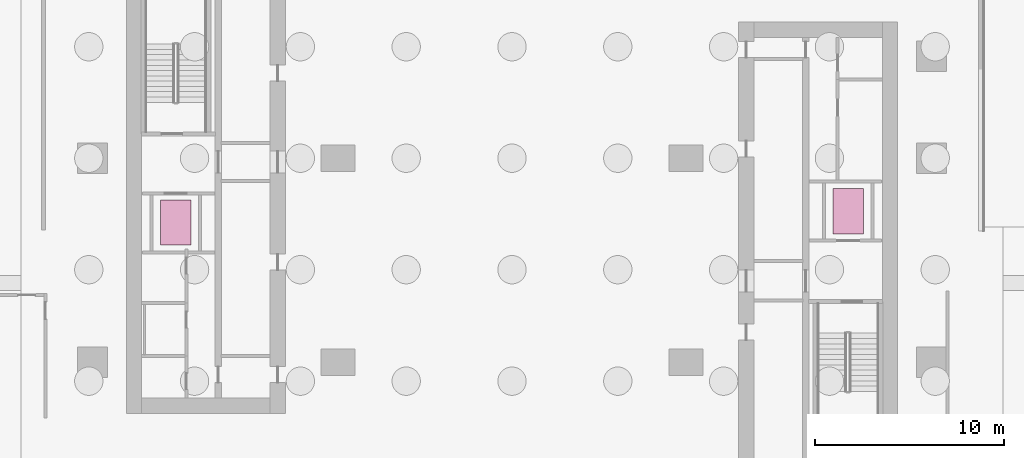
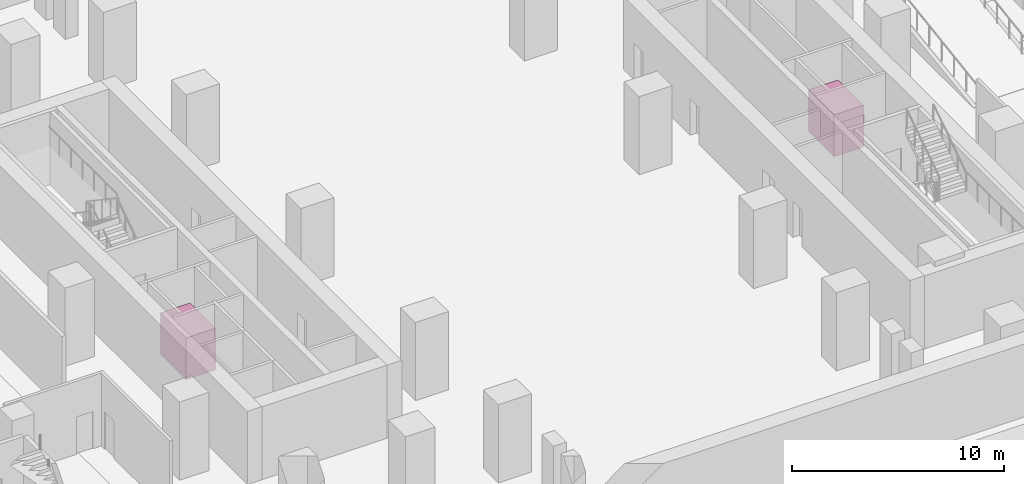
# One storey, part 15 of 15: 2 transport elements.
"""IFC4 building model written with IfcOpenShell, lengths in metres."""

from ifc_helpers import new_model, si_unit, direction, frame, origin, origin_2d, place, context, subcontext, project, spatial, rectangle, extrude, material, type_object, element, save


model = new_model("IFC4")

# Units and contexts
model_context = context("Model", 3, precision=1e-05, world=origin(), true_north=direction((0.0, 1.0)))
body_context = subcontext(model_context, "Body", "Model", "MODEL_VIEW")
ifc_project = project(units=[si_unit("LENGTHUNIT", "METRE"), si_unit("AREAUNIT", "SQUARE_METRE"), si_unit("VOLUMEUNIT", "CUBIC_METRE"), si_unit("PLANEANGLEUNIT", "RADIAN"), si_unit("MASSUNIT", "GRAM", prefix="KILO")], contexts=[model_context])

# Site, building, storey
site_placement = place(None, origin())
site = spatial("IfcSite", under=ifc_project, at=site_placement, CompositionType="ELEMENT")
building_placement = place(site_placement, origin())
building = spatial("IfcBuilding", under=site, at=building_placement, Name="Khairoan Windgate Tower", CompositionType="ELEMENT")
storey_placement = place(building_placement, frame((0.0, 0.0, -9.0)))
storey = spatial("IfcBuildingStorey", under=building, at=storey_placement, Name="B2", CompositionType="ELEMENT", Elevation=-9.0)

# Transport elements
ifc_material = material(Name="Steel S355", Category="steel")
transport_element_type = type_object("IfcTransportElementType", Name="Stretcher Firefighting Lift Car LFT-FF 1600x2400", PredefinedType="ELEVATOR", material=ifc_material)
for number, where, z_axis, x_axis, name in (
    (1, (17.800048828125, -2.800048828125, 0.0), (0.0, 0.0, 1.0), (1.0, 0.0, 0.0), "Elevator Car FL1"),
    (2, (-17.800048828125, -3.39990234375, 0.0), (0.0, 0.0, 1.0), (1.0, 0.0, 0.0), "Elevator Car FL2"),
):
    element("IfcTransportElement", number, at=place(storey_placement, frame(where, z_axis=z_axis, x_axis=x_axis)), inside=storey, type_object=transport_element_type, Name=name, PredefinedType="ELEVATOR", context=body_context, shape_type="SweptSolid", body=[
        extrude(rectangle(XDim=1.60009765625, YDim=2.39990234375, at=origin_2d()), origin(), (0.0, 0.0, 1.0), 2.39990234375),
    ])

save(model, "model.ifc")
